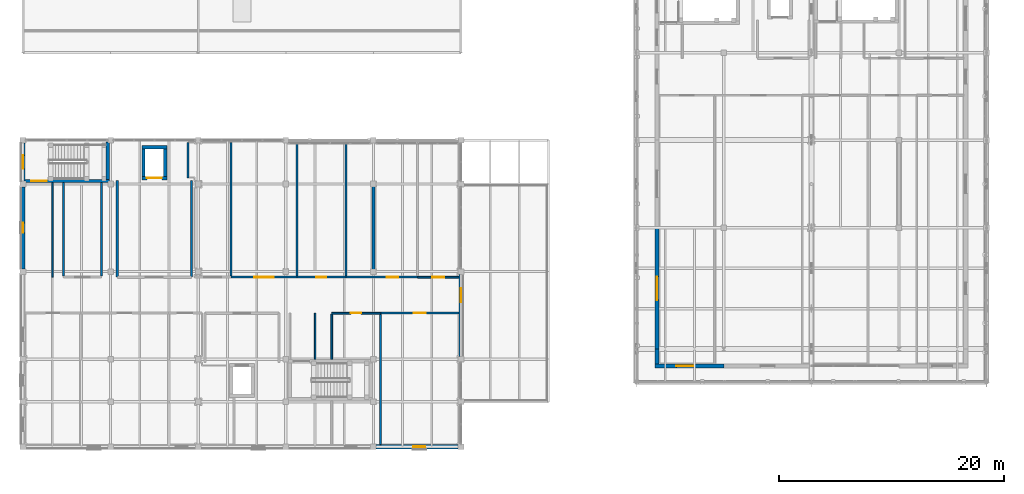
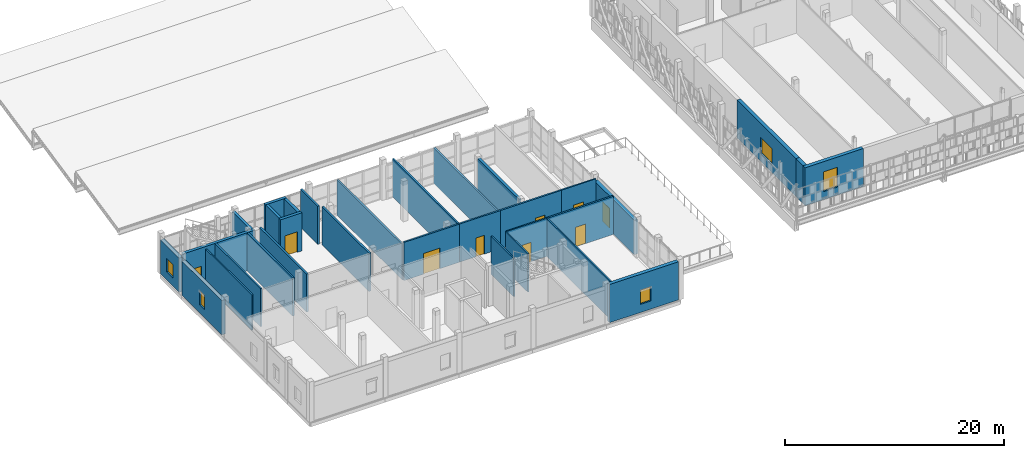
# One storey, part 66 of 89: 32 walls, 9 doors, 5 windows, 14 openings.
"""IFC4 building model written with IfcOpenShell, lengths in metres."""

from ifc_helpers import new_model, si_unit, direction, frame, frame_2d, origin, place, context, subcontext, project, spatial, rectangle, extrude, material, layer, layer_set, type_object, element, fill, save


model = new_model("IFC4")

# Units and contexts
model_context = context("Model", 3, precision=1e-05, world=origin(), true_north=direction((0.0, 1.0)))
body_context = subcontext(model_context, "Body", "Model", "MODEL_VIEW")
ifc_project = project(units=[si_unit("LENGTHUNIT", "METRE"), si_unit("AREAUNIT", "SQUARE_METRE"), si_unit("VOLUMEUNIT", "CUBIC_METRE"), si_unit("PLANEANGLEUNIT", "RADIAN"), si_unit("MASSUNIT", "GRAM", prefix="KILO")], contexts=[model_context])

# Site, building, storey
site_placement = place(None, origin())
site = spatial("IfcSite", under=ifc_project, at=site_placement, CompositionType="ELEMENT")
building_placement = place(site_placement, origin())
building = spatial("IfcBuilding", under=site, at=building_placement, Name="Celorna Specialist Clinic", CompositionType="ELEMENT")
storey_placement = place(building_placement, frame((0.0, 0.0, 14.10009765625)))
storey = spatial("IfcBuildingStorey", under=building, at=storey_placement, Name="L03", CompositionType="ELEMENT", Elevation=14.10009765625)

# Wall, opening, window
ifc_material_1 = material(Name="Terracotta masonry with insulated cavity", Category="masonry")
ifc_layer_1 = layer(ifc_material_1, 0.3798828125, Name="Terracotta masonry with insulated cavity")
ifc_layer_set_1 = layer_set([ifc_layer_1], Name="Terracotta masonry with insulated cavity")
wall_type_1 = type_object("IfcWallType", Name="WT-06", PredefinedType="STANDARD", material=ifc_layer_set_1)
wall_1_placement = place(storey_placement, frame((38.75, 0.0, 0.0), z_axis=(0.0, 0.0, 1.0), x_axis=(-1.0, 0.0, 0.0)))
wall_1 = element("IfcWall", 1, at=wall_1_placement, inside=storey, type_object=wall_type_1, Name="External facade wall WT-06 #353", PredefinedType="STANDARD", context=body_context, shape_type="SweptSolid", body=[
    extrude(rectangle(XDim=7.300048828125, YDim=0.3798828125, at=frame_2d((3.64990234375, 0.0))), origin(), (0.0, 0.0, 1.0), 4.260009765625),
])
opening_1_placement = place(wall_1_placement, frame((2.9150390625, 0.0, 0.89990234375)))
opening_1 = element("IfcOpeningElement", 2, at=opening_1_placement, cuts=wall_1, Name="Opening WN-03", PredefinedType="OPENING", context=body_context, shape_type="SweptSolid", body=[
    extrude(rectangle(XDim=1.10009765625, YDim=1.60009765625, at=frame_2d((0.550048828125, 0.800048828125))), frame((0.0, 0.199951171875, 0.0), z_axis=(0.0, -1.0, 0.0), x_axis=(1.0, 0.0, 0.0)), (0.0, 0.0, 1.0), 0.39990234375),
])
ifc_material_2 = material(Name="Thermally broken aluminium triple-glazed window", Category="aluminium")
window_type_1 = type_object("IfcWindowType", Name="WN-03", PartitioningType="SINGLE_PANEL", PredefinedType="WINDOW", material=ifc_material_2)
window_1_placement = place(opening_1_placement, origin())
window_1 = element("IfcWindow", 3, at=window_1_placement, inside=storey, type_object=window_type_1, Name="Facade window WN-03 #218", OverallHeight=1.60009765625, OverallWidth=1.10009765625, PartitioningType="SINGLE_PANEL", PredefinedType="WINDOW", context=body_context, shape_type="SweptSolid", body=[
    extrude(rectangle(XDim=1.10009765625, YDim=1.60009765625, at=frame_2d((0.550048828125, 0.800048828125))), frame((0.0, 0.030029296875, 0.0), z_axis=(0.0, -1.0, 0.0), x_axis=(1.0, 0.0, 0.0)), (0.0, 0.0, 1.0), 0.06005859375),
])
fill(opening_1, window_1)

wall_2_placement = place(storey_placement, frame((0.0, 15.85009765625, 0.0), z_axis=(0.0, 0.0, 1.0), x_axis=(0.0, 1.0, 0.0)))
wall_2 = element("IfcWall", 4, at=wall_2_placement, inside=storey, type_object=wall_type_1, Name="External facade wall WT-06 #357", PredefinedType="STANDARD", context=body_context, shape_type="SweptSolid", body=[
    extrude(rectangle(XDim=7.2998046875, YDim=0.3798828125, at=frame_2d((3.64990234375, 0.0))), origin(), (0.0, 0.0, 1.0), 3.81982421875),
])
opening_2_placement = place(wall_2_placement, frame((3.199951171875, 0.0, 0.89990234375)))
opening_2 = element("IfcOpeningElement", 5, at=opening_2_placement, cuts=wall_2, Name="Opening WN-01", PredefinedType="OPENING", context=body_context, shape_type="SweptSolid", body=[
    extrude(rectangle(XDim=0.89990234375, YDim=1.60009765625, at=frame_2d((0.449951171875, 0.800048828125))), frame((0.0, 0.199951171875, 0.0), z_axis=(0.0, -1.0, 0.0), x_axis=(1.0, 0.0, 0.0)), (0.0, 0.0, 1.0), 0.39990234375),
])
window_type_2 = type_object("IfcWindowType", Name="WN-01", PartitioningType="SINGLE_PANEL", PredefinedType="WINDOW", material=ifc_material_2)
window_2_placement = place(opening_2_placement, origin())
window_2 = element("IfcWindow", 6, at=window_2_placement, inside=storey, type_object=window_type_2, Name="Facade window WN-01 #222", OverallHeight=1.60009765625, OverallWidth=0.89990234375, PartitioningType="SINGLE_PANEL", PredefinedType="WINDOW", context=body_context, shape_type="SweptSolid", body=[
    extrude(rectangle(XDim=0.89990234375, YDim=1.60009765625, at=frame_2d((0.449951171875, 0.800048828125))), frame((0.0, 0.030029296875, 0.0), z_axis=(0.0, -1.0, 0.0), x_axis=(1.0, 0.0, 0.0)), (0.0, 0.0, 1.0), 0.06005859375),
])
fill(opening_2, window_2)

wall_3_placement = place(storey_placement, frame((0.0, 23.64990234375, 0.0), z_axis=(0.0, 0.0, 1.0), x_axis=(0.0, 1.0, 0.0)))
wall_3 = element("IfcWall", 7, at=wall_3_placement, inside=storey, type_object=wall_type_1, Name="External facade wall WT-06 #358", PredefinedType="STANDARD", context=body_context, shape_type="SweptSolid", body=[
    extrude(rectangle(XDim=3.400146484375, YDim=0.3798828125, at=frame_2d((1.7001953125, 0.0))), origin(), (0.0, 0.0, 1.0), 3.81982421875),
])
opening_3_placement = place(wall_3_placement, frame((1.10009765625, 0.0, 0.89990234375)))
opening_3 = element("IfcOpeningElement", 8, at=opening_3_placement, cuts=wall_3, Name="Opening WN-04", PredefinedType="OPENING", context=body_context, shape_type="SweptSolid", body=[
    extrude(rectangle(XDim=1.199951171875, YDim=1.5, at=frame_2d((0.60009765625, 0.75))), frame((0.0, 0.199951171875, 0.0), z_axis=(0.0, -1.0, 0.0), x_axis=(1.0, 0.0, 0.0)), (0.0, 0.0, 1.0), 0.39990234375),
])
window_type_3 = type_object("IfcWindowType", Name="WN-04", PartitioningType="SINGLE_PANEL", PredefinedType="WINDOW", material=ifc_material_2)
window_3_placement = place(opening_3_placement, origin())
window_3 = element("IfcWindow", 9, at=window_3_placement, inside=storey, type_object=window_type_3, Name="Facade window WN-04 #223", OverallHeight=1.5, OverallWidth=1.199951171875, PartitioningType="SINGLE_PANEL", PredefinedType="WINDOW", context=body_context, shape_type="SweptSolid", body=[
    extrude(rectangle(XDim=1.199951171875, YDim=1.5, at=frame_2d((0.60009765625, 0.75))), frame((0.0, 0.030029296875, 0.0), z_axis=(0.0, -1.0, 0.0), x_axis=(1.0, 0.0, 0.0)), (0.0, 0.0, 1.0), 0.06005859375),
])
fill(opening_3, window_3)

# Wall, opening, door
wall_4_placement = place(storey_placement, frame((39.0, 15.35009765625, 0.0), z_axis=(0.0, 0.0, 1.0), x_axis=(0.0, -1.0, 0.0)))
wall_4 = element("IfcWall", 10, at=wall_4_placement, inside=storey, type_object=wall_type_1, Name="External facade wall WT-06 #359", PredefinedType="STANDARD", context=body_context, shape_type="SweptSolid", body=[
    extrude(rectangle(XDim=7.300048828125, YDim=0.3798828125, at=frame_2d((3.64990234375, 0.0))), origin(), (0.0, 0.0, 1.0), 3.83984375),
])
opening_4_placement = place(wall_4_placement, frame((1.22509765625, 0.0, 0.0)))
opening_4 = element("IfcOpeningElement", 11, at=opening_4_placement, cuts=wall_4, Name="Opening DR-13", PredefinedType="OPENING", context=body_context, shape_type="SweptSolid", body=[
    extrude(rectangle(XDim=1.25, YDim=2.199951171875, at=frame_2d((0.625, 1.10009765625))), frame((0.0, 0.199951171875, 0.0), z_axis=(0.0, -1.0, 0.0), x_axis=(1.0, 0.0, 0.0)), (0.0, 0.0, 1.0), 0.39990234375),
])
ifc_material_3 = material(Name="Thermally broken glazed terrace door")
door_type_1 = type_object("IfcDoorType", Name="DR-13", OperationType="NOTDEFINED", PredefinedType="DOOR", material=ifc_material_3)
door_1_placement = place(opening_4_placement, frame((1.25, 0.0, 0.0), z_axis=(0.0, 0.0, 1.0), x_axis=(-1.0, 0.0, 0.0)))
door_1 = element("IfcDoor", 12, at=door_1_placement, inside=storey, type_object=door_type_1, Name="Terrace access door TER-V5-L03", OperationType="SINGLE_SWING_RIGHT", OverallHeight=2.199951171875, OverallWidth=1.25, PredefinedType="DOOR", context=body_context, shape_type="SweptSolid", body=[
    extrude(rectangle(XDim=1.25, YDim=2.199951171875, at=frame_2d((0.625, 1.10009765625))), frame((0.0, 0.02490234375, 0.0), z_axis=(0.0, -1.0, 0.0), x_axis=(1.0, 0.0, 0.0)), (0.0, 0.0, 1.0), 0.050048828125),
])
fill(opening_4, door_1)

# Wall, opening, window
wall_5_placement = place(storey_placement, frame((62.39990234375, 7.199951171875, 0.0), z_axis=(0.0, 0.0, 1.0), x_axis=(-1.0, 0.0, 0.0)))
wall_5 = element("IfcWall", 13, at=wall_5_placement, inside=storey, type_object=wall_type_1, Name="External facade wall WT-06 #408", PredefinedType="STANDARD", context=body_context, shape_type="SweptSolid", body=[
    extrude(rectangle(XDim=6.139892578125, YDim=0.3798828125, at=frame_2d((3.06982421875, 0.0))), origin(), (0.0, 0.0, 1.0), 4.239990234375),
])
opening_5_placement = place(wall_5_placement, frame((2.715087890625, 0.0, 0.89990234375)))
opening_5 = element("IfcOpeningElement", 14, at=opening_5_placement, cuts=wall_5, Name="Opening WN-10", PredefinedType="OPENING", context=body_context, shape_type="SweptSolid", body=[
    extrude(rectangle(XDim=1.5, YDim=2.199951171875, at=frame_2d((0.75, 1.10009765625))), frame((0.0, 0.199951171875, 0.0), z_axis=(0.0, -1.0, 0.0), x_axis=(1.0, 0.0, 0.0)), (0.0, 0.0, 1.0), 0.39990234375),
])
window_type_4 = type_object("IfcWindowType", Name="WN-10", PartitioningType="SINGLE_PANEL", PredefinedType="WINDOW", material=ifc_material_2)
window_4_placement = place(opening_5_placement, origin())
window_4 = element("IfcWindow", 15, at=window_4_placement, inside=storey, type_object=window_type_4, Name="Facade window WN-10 #268", OverallHeight=2.199951171875, OverallWidth=1.5, PartitioningType="SINGLE_PANEL", PredefinedType="WINDOW", context=body_context, shape_type="SweptSolid", body=[
    extrude(rectangle(XDim=1.5, YDim=2.199951171875, at=frame_2d((0.75, 1.10009765625))), frame((0.0, 0.030029296875, 0.0), z_axis=(0.0, -1.0, 0.0), x_axis=(1.0, 0.0, 0.0)), (0.0, 0.0, 1.0), 0.06005859375),
])
fill(opening_5, window_4)

# Wall
wall_6_placement = place(storey_placement, frame((56.449951171875, 7.389892578125, 0.0), z_axis=(0.0, 0.0, 1.0), x_axis=(0.0, 1.0, 0.0)))
element("IfcWall", 16, at=wall_6_placement, inside=storey, type_object=wall_type_1, Name="External facade wall WT-06 #415", PredefinedType="STANDARD", context=body_context, shape_type="SweptSolid", body=[
    extrude(rectangle(XDim=1.31005859375, YDim=0.3798828125, at=frame_2d((0.655029296875, 0.0))), origin(), (0.0, 0.0, 1.0), 4.239990234375),
])

# Wall, opening, window
wall_7_placement = place(storey_placement, frame((56.449951171875, 8.699951171875, 0.0), z_axis=(0.0, 0.0, 1.0), x_axis=(0.0, 1.0, 0.0)))
wall_7 = element("IfcWall", 17, at=wall_7_placement, inside=storey, type_object=wall_type_1, Name="External facade wall WT-06 #416", PredefinedType="STANDARD", context=body_context, shape_type="SweptSolid", body=[
    extrude(rectangle(XDim=10.800048828125, YDim=0.3798828125, at=frame_2d((5.39990234375, 0.0))), origin(), (0.0, 0.0, 1.0), 4.239990234375),
])
opening_6_placement = place(wall_7_placement, frame((4.35009765625, 0.0, 0.89990234375)))
opening_6 = element("IfcOpeningElement", 18, at=opening_6_placement, cuts=wall_7, Name="Opening WN-17", PredefinedType="OPENING", context=body_context, shape_type="SweptSolid", body=[
    extrude(rectangle(XDim=2.10009765625, YDim=1.800048828125, at=frame_2d((1.050048828125, 0.89990234375))), frame((0.0, 0.199951171875, 0.0), z_axis=(0.0, -1.0, 0.0), x_axis=(1.0, 0.0, 0.0)), (0.0, 0.0, 1.0), 0.39990234375),
])
ifc_material_4 = material(Name="Outpatient waiting bay window")
window_type_5 = type_object("IfcWindowType", Name="WN-17", PartitioningType="SINGLE_PANEL", PredefinedType="WINDOW", material=ifc_material_4)
window_5_placement = place(opening_6_placement, origin())
window_5 = element("IfcWindow", 19, at=window_5_placement, inside=storey, type_object=window_type_5, Name="Facade window WN-17 #274", OverallHeight=1.800048828125, OverallWidth=2.10009765625, PartitioningType="SINGLE_PANEL", PredefinedType="WINDOW", context=body_context, shape_type="SweptSolid", body=[
    extrude(rectangle(XDim=2.10009765625, YDim=1.800048828125, at=frame_2d((1.050048828125, 0.89990234375))), frame((0.0, 0.030029296875, 0.0), z_axis=(0.0, -1.0, 0.0), x_axis=(1.0, 0.0, 0.0)), (0.0, 0.0, 1.0), 0.06005859375),
])
fill(opening_6, window_5)

# Wall, opening, door
ifc_material_5 = material(Name="Concrete C35/45", Category="concrete")
ifc_layer_2 = layer(ifc_material_5, 0.300048828125, Name="Concrete C35/45")
ifc_layer_set_2 = layer_set([ifc_layer_2], Name="Concrete C35/45")
wall_type_2 = type_object("IfcWallType", Name="WT-08", PredefinedType="SHEAR", material=ifc_layer_set_2)
wall_8_placement = place(storey_placement, frame((0.14990234375, 23.669921875, 0.0), z_axis=(0.0, 0.0, 1.0), x_axis=(1.0, 0.0, 0.0)))
wall_8 = element("IfcWall", 20, at=wall_8_placement, inside=storey, type_object=wall_type_2, Name="Stair ST-04 RC core wall L03 south", PredefinedType="SHEAR", context=body_context, shape_type="SweptSolid", body=[
    extrude(rectangle(XDim=7.56005859375, YDim=0.300048828125, at=frame_2d((3.780029296875, 0.0))), origin(), (0.0, 0.0, 1.0), 4.260009765625),
])
opening_7_placement = place(wall_8_placement, frame((0.56005859375, 0.0, 0.0)))
opening_7 = element("IfcOpeningElement", 21, at=opening_7_placement, cuts=wall_8, Name="Opening DR-10", PredefinedType="OPENING", context=body_context, shape_type="SweptSolid", body=[
    extrude(rectangle(XDim=1.39990234375, YDim=2.199951171875, at=frame_2d((0.699951171875, 1.10009765625))), frame((0.0, 0.159912109375, 0.0), z_axis=(0.0, -1.0, 0.0), x_axis=(1.0, 0.0, 0.0)), (0.0, 0.0, 1.0), 0.320068359375),
])
ifc_material_6 = material(Name="Protected exit stair fire door")
door_type_2 = type_object("IfcDoorType", Name="DR-10", OperationType="NOTDEFINED", PredefinedType="DOOR", material=ifc_material_6)
door_2_placement = place(opening_7_placement, origin())
door_2 = element("IfcDoor", 22, at=door_2_placement, inside=storey, type_object=door_type_2, Name="Protected exit stair door ST-04 L03", OperationType="SINGLE_SWING_RIGHT", OverallHeight=2.199951171875, OverallWidth=1.39990234375, PredefinedType="DOOR", context=body_context, shape_type="SweptSolid", body=[
    extrude(rectangle(XDim=1.39990234375, YDim=2.199951171875, at=frame_2d((0.699951171875, 1.10009765625))), frame((0.0, 0.02490234375, 0.0), z_axis=(0.0, -1.0, 0.0), x_axis=(1.0, 0.0, 0.0)), (0.0, 0.0, 1.0), 0.050048828125),
])
fill(opening_7, door_2)

# Wall
wall_9_placement = place(storey_placement, frame((7.56005859375, 23.820068359375, 0.0), z_axis=(0.0, 0.0, 1.0), x_axis=(0.0, 1.0, 0.0)))
element("IfcWall", 23, at=wall_9_placement, inside=storey, type_object=wall_type_2, Name="Stair ST-04 RC core wall L03 east", PredefinedType="SHEAR", context=body_context, shape_type="SweptSolid", body=[
    extrude(rectangle(XDim=3.329833984375, YDim=0.300048828125, at=frame_2d((1.6650390625, 0.0))), origin(), (0.0, 0.0, 1.0), 4.260009765625),
])

# Wall, opening, door
wall_10_placement = place(storey_placement, frame((10.574951171875, 23.925048828125, 0.0), z_axis=(0.0, 0.0, 1.0), x_axis=(1.0, 0.0, 0.0)))
wall_10 = element("IfcWall", 24, at=wall_10_placement, inside=storey, type_object=wall_type_2, Name="Lift LF-04 RC shaft wall L03", PredefinedType="SHEAR", context=body_context, shape_type="SweptSolid", body=[
    extrude(rectangle(XDim=2.25, YDim=0.300048828125, at=frame_2d((1.125, 0.0))), origin(), (0.0, 0.0, 1.0), 4.260009765625),
])
opening_8_placement = place(wall_10_placement, frame((0.449951171875, 0.0, 0.0)))
opening_8 = element("IfcOpeningElement", 25, at=opening_8_placement, cuts=wall_10, Name="Opening LD-02", PredefinedType="OPENING", context=body_context, shape_type="SweptSolid", body=[
    extrude(rectangle(XDim=1.35009765625, YDim=2.300048828125, at=frame_2d((0.675048828125, 1.14990234375))), frame((0.0, 0.159912109375, 0.0), z_axis=(0.0, -1.0, 0.0), x_axis=(1.0, 0.0, 0.0)), (0.0, 0.0, 1.0), 0.320068359375),
])
ifc_material_7 = material(Name="Firefighting stretcher lift landing sliding door")
door_type_3 = type_object("IfcDoorType", Name="LD-02", OperationType="DOUBLE_DOOR_SLIDING", PredefinedType="DOOR", material=ifc_material_7)
door_3_placement = place(opening_8_placement, origin())
door_3 = element("IfcDoor", 26, at=door_3_placement, inside=storey, type_object=door_type_3, Name="Lift LF-04 sliding landing door L03", OperationType="DOUBLE_DOOR_SLIDING", OverallHeight=2.300048828125, OverallWidth=1.35009765625, PredefinedType="DOOR", context=body_context, shape_type="SweptSolid", body=[
    extrude(rectangle(XDim=1.35009765625, YDim=2.300048828125, at=frame_2d((0.675048828125, 1.14990234375))), frame((0.0, 0.02490234375, 0.0), z_axis=(0.0, -1.0, 0.0), x_axis=(1.0, 0.0, 0.0)), (0.0, 0.0, 1.0), 0.050048828125),
])
fill(opening_8, door_3)

# Walls
wall_11_placement = place(storey_placement, frame((12.824951171875, 26.675048828125, 0.0), z_axis=(0.0, 0.0, 1.0), x_axis=(-1.0, 0.0, 0.0)))
element("IfcWall", 27, at=wall_11_placement, inside=storey, type_object=wall_type_2, Name="Lift LF-04 RC shaft wall L03", PredefinedType="SHEAR", context=body_context, shape_type="SweptSolid", body=[
    extrude(rectangle(XDim=2.25, YDim=0.300048828125, at=frame_2d((1.125, 0.0))), origin(), (0.0, 0.0, 1.0), 4.260009765625),
])
for number, where, z_axis, x_axis, name in (
    (28, (10.72509765625, 26.52490234375, 0.0), (0.0, 0.0, 1.0), (0.0, -1.0, 0.0), "Lift LF-04 RC shaft wall L03"),
    (29, (12.675048828125, 24.074951171875, 0.0), (0.0, 0.0, 1.0), (0.0, 1.0, 0.0), "Lift LF-04 RC shaft wall L03"),
):
    element("IfcWall", number, at=place(storey_placement, frame(where, z_axis=z_axis, x_axis=x_axis)), inside=storey, type_object=wall_type_2, Name=name, PredefinedType="SHEAR", context=body_context, shape_type="SweptSolid", body=[
        extrude(rectangle(XDim=2.449951171875, YDim=0.300048828125, at=frame_2d((1.22509765625, 0.0))), origin(), (0.0, 0.0, 1.0), 4.260009765625),
    ])
ifc_layer_3 = layer(ifc_material_5, 0.260009765625, Name="Concrete C35/45")
ifc_layer_set_3 = layer_set([ifc_layer_3], Name="Concrete C35/45")
wall_type_3 = type_object("IfcWallType", Name="WT-10", PredefinedType="SHEAR", material=ifc_layer_set_3)
wall_12_placement = place(storey_placement, frame((31.199951171875, 15.75, 0.0), z_axis=(0.0, 0.0, 1.0), x_axis=(0.0, 1.0, 0.0)))
element("IfcWall", 30, at=wall_12_placement, inside=storey, type_object=wall_type_3, Name="Structural RC shear wall WT-10 V5 L03", PredefinedType="SHEAR", context=body_context, shape_type="SweptSolid", body=[
    extrude(rectangle(XDim=7.5, YDim=0.260009765625, at=frame_2d((3.75, 0.0))), origin(), (0.0, 0.0, 1.0), 4.260009765625),
])
ifc_layer_4 = layer(ifc_material_5, 0.199951171875, Name="Concrete C35/45")
ifc_layer_set_4 = layer_set([ifc_layer_4], Name="Concrete C35/45")
wall_type_4 = type_object("IfcWallType", Name="WT-12", PredefinedType="SOLIDWALL", material=ifc_layer_set_4)
for number, where, z_axis, x_axis, name in (
    (31, (8.39990234375, 23.699951171875, 0.0), (0.0, 0.0, 1.0), (0.0, -1.0, 0.0), "Firefighting lobby wall LF-04 L03"),
    (32, (15.0, 15.10009765625, 0.0), (0.0, 0.0, 1.0), (0.0, 1.0, 0.0), "Firefighting lobby wall LF-04 L03"),
):
    element("IfcWall", number, at=place(storey_placement, frame(where, z_axis=z_axis, x_axis=x_axis)), inside=storey, type_object=wall_type_4, Name=name, PredefinedType="SOLIDWALL", context=body_context, shape_type="SweptSolid", body=[
        extrude(rectangle(XDim=8.599853515625, YDim=0.199951171875, at=frame_2d((4.2998046875, 0.0))), origin(), (0.0, 0.0, 1.0), 4.260009765625),
    ])

# Wall, opening, door
ifc_material_8 = material(Name="Acoustic masonry clinical partition", Category="masonry")
ifc_layer_5 = layer(ifc_material_8, 0.179931640625, Name="Acoustic masonry clinical partition")
ifc_layer_set_5 = layer_set([ifc_layer_5], Name="Acoustic masonry clinical partition")
wall_type_5 = type_object("IfcWallType", Name="WT-13", PredefinedType="PARTITIONING", material=ifc_layer_set_5)
wall_13_placement = place(storey_placement, frame((38.81005859375, 11.89990234375, 0.0), z_axis=(0.0, 0.0, 1.0), x_axis=(-1.0, 0.0, 0.0)))
wall_13 = element("IfcWall", 33, at=wall_13_placement, inside=storey, type_object=wall_type_5, Name="Interior partition WT-13 L03-045", PredefinedType="PARTITIONING", context=body_context, shape_type="SweptSolid", body=[
    extrude(rectangle(XDim=6.969970703125, YDim=0.179931640625, at=frame_2d((3.48486328125, 0.0))), origin(), (0.0, 0.0, 1.0), 4.260009765625),
])
opening_9_placement = place(wall_13_placement, frame((2.945068359375, 0.0, 0.0)))
opening_9 = element("IfcOpeningElement", 34, at=opening_9_placement, cuts=wall_13, Name="Opening DR-21", PredefinedType="OPENING", context=body_context, shape_type="SweptSolid", body=[
    extrude(rectangle(XDim=1.080078125, YDim=2.199951171875, at=frame_2d((0.5400390625, 1.10009765625))), frame((0.0, 0.099853515625, 0.0), z_axis=(0.0, -1.0, 0.0), x_axis=(1.0, 0.0, 0.0)), (0.0, 0.0, 1.0), 0.199951171875),
])
ifc_material_9 = material(Name="Timber outpatient suite door", Category="wood")
door_type_4 = type_object("IfcDoorType", Name="DR-21", OperationType="NOTDEFINED", PredefinedType="DOOR", material=ifc_material_9)
door_4_placement = place(opening_9_placement, origin())
door_4 = element("IfcDoor", 35, at=door_4_placement, inside=storey, type_object=door_type_4, Name="Endoscopy Procedure Room door L03-045", OperationType="SINGLE_SWING_RIGHT", OverallHeight=2.199951171875, OverallWidth=1.080078125, PredefinedType="DOOR", context=body_context, shape_type="SweptSolid", body=[
    extrude(rectangle(XDim=1.080078125, YDim=2.199951171875, at=frame_2d((0.5400390625, 1.10009765625))), frame((0.0, 0.02490234375, 0.0), z_axis=(0.0, -1.0, 0.0), x_axis=(1.0, 0.0, 0.0)), (0.0, 0.0, 1.0), 0.050048828125),
])
fill(opening_9, door_4)

wall_14_placement = place(storey_placement, frame((18.5400390625, 15.10009765625, 0.0), z_axis=(0.0, 0.0, 1.0), x_axis=(1.0, 0.0, 0.0)))
wall_14 = element("IfcWall", 36, at=wall_14_placement, inside=storey, type_object=wall_type_5, Name="Interior partition WT-13 L03-048", PredefinedType="PARTITIONING", context=body_context, shape_type="SweptSolid", body=[
    extrude(rectangle(XDim=5.849853515625, YDim=0.179931640625, at=frame_2d((2.9248046875, 0.0))), origin(), (0.0, 0.0, 1.0), 4.260009765625),
])
opening_10_placement = place(wall_14_placement, frame((2.06494140625, 0.0, 0.0)))
opening_10 = element("IfcOpeningElement", 37, at=opening_10_placement, cuts=wall_14, Name="Opening DR-24", PredefinedType="OPENING", context=body_context, shape_type="SweptSolid", body=[
    extrude(rectangle(XDim=1.719970703125, YDim=2.300048828125, at=frame_2d((0.85986328125, 1.14990234375))), frame((0.0, 0.099853515625, 0.0), z_axis=(0.0, -1.0, 0.0), x_axis=(1.0, 0.0, 0.0)), (0.0, 0.0, 1.0), 0.199951171875),
])
ifc_material_10 = material(Name="Double leaf clinical waiting door")
door_type_5 = type_object("IfcDoorType", Name="DR-24", OperationType="DOUBLE_DOOR_SINGLE_SWING", PredefinedType="DOOR", material=ifc_material_10)
door_5_placement = place(opening_10_placement, origin())
door_5 = element("IfcDoor", 38, at=door_5_placement, inside=storey, type_object=door_type_5, Name="Endoscopy Procedure Room door L03-048", OperationType="DOUBLE_DOOR_SINGLE_SWING", OverallHeight=2.300048828125, OverallWidth=1.719970703125, PredefinedType="DOOR", context=body_context, shape_type="SweptSolid", body=[
    extrude(rectangle(XDim=1.719970703125, YDim=2.300048828125, at=frame_2d((0.85986328125, 1.14990234375))), frame((0.0, 0.02490234375, 0.0), z_axis=(0.0, -1.0, 0.0), x_axis=(1.0, 0.0, 0.0)), (0.0, 0.0, 1.0), 0.050048828125),
])
fill(opening_10, door_5)

wall_15_placement = place(storey_placement, frame((24.389892578125, 15.10009765625, 0.0), z_axis=(0.0, 0.0, 1.0), x_axis=(1.0, 0.0, 0.0)))
wall_15 = element("IfcWall", 39, at=wall_15_placement, inside=storey, type_object=wall_type_5, Name="Interior partition WT-13 L03-049", PredefinedType="PARTITIONING", context=body_context, shape_type="SweptSolid", body=[
    extrude(rectangle(XDim=4.35009765625, YDim=0.179931640625, at=frame_2d((2.175048828125, 0.0))), origin(), (0.0, 0.0, 1.0), 4.260009765625),
])
opening_11_placement = place(wall_15_placement, frame((1.72509765625, 0.0, 0.0)))
opening_11 = element("IfcOpeningElement", 40, at=opening_11_placement, cuts=wall_15, Name="Opening DR-02", PredefinedType="OPENING", context=body_context, shape_type="SweptSolid", body=[
    extrude(rectangle(XDim=0.89990234375, YDim=2.10009765625, at=frame_2d((0.449951171875, 1.050048828125))), frame((0.0, 0.099853515625, 0.0), z_axis=(0.0, -1.0, 0.0), x_axis=(1.0, 0.0, 0.0)), (0.0, 0.0, 1.0), 0.199951171875),
])
ifc_material_11 = material(Name="Timber acoustic clinical door", Category="wood")
door_type_6 = type_object("IfcDoorType", Name="DR-02", OperationType="NOTDEFINED", PredefinedType="DOOR", material=ifc_material_11)
door_6_placement = place(opening_11_placement, origin())
door_6 = element("IfcDoor", 41, at=door_6_placement, inside=storey, type_object=door_type_6, Name="Bronchoscopy Treatment Room door L03-049", OperationType="SINGLE_SWING_RIGHT", OverallHeight=2.10009765625, OverallWidth=0.89990234375, PredefinedType="DOOR", context=body_context, shape_type="SweptSolid", body=[
    extrude(rectangle(XDim=0.89990234375, YDim=2.10009765625, at=frame_2d((0.449951171875, 1.050048828125))), frame((0.0, 0.02490234375, 0.0), z_axis=(0.0, -1.0, 0.0), x_axis=(1.0, 0.0, 0.0)), (0.0, 0.0, 1.0), 0.050048828125),
])
fill(opening_11, door_6)

wall_16_placement = place(storey_placement, frame((28.739990234375, 15.10009765625, 0.0), z_axis=(0.0, 0.0, 1.0), x_axis=(1.0, 0.0, 0.0)))
wall_16 = element("IfcWall", 42, at=wall_16_placement, inside=storey, type_object=wall_type_5, Name="Interior partition WT-13 L03-050", PredefinedType="PARTITIONING", context=body_context, shape_type="SweptSolid", body=[
    extrude(rectangle(XDim=6.39990234375, YDim=0.179931640625, at=frame_2d((3.199951171875, 0.0))), origin(), (0.0, 0.0, 1.0), 4.260009765625),
])
opening_12_placement = place(wall_16_placement, frame((3.659912109375, 0.0, 0.0)))
opening_12 = element("IfcOpeningElement", 43, at=opening_12_placement, cuts=wall_16, Name="Opening DR-04", PredefinedType="OPENING", context=body_context, shape_type="SweptSolid", body=[
    extrude(rectangle(XDim=1.0, YDim=2.10009765625, at=frame_2d((0.5, 1.050048828125))), frame((0.0, 0.099853515625, 0.0), z_axis=(0.0, -1.0, 0.0), x_axis=(1.0, 0.0, 0.0)), (0.0, 0.0, 1.0), 0.199951171875),
])
ifc_material_12 = material(Name="Timber consultation suite door", Category="wood")
door_type_7 = type_object("IfcDoorType", Name="DR-04", OperationType="NOTDEFINED", PredefinedType="DOOR", material=ifc_material_12)
door_7_placement = place(opening_12_placement, origin())
door_7 = element("IfcDoor", 44, at=door_7_placement, inside=storey, type_object=door_type_7, Name="Endoscope High-Level Decontamination Room door L03-050", OperationType="SINGLE_SWING_LEFT", OverallHeight=2.10009765625, OverallWidth=1.0, PredefinedType="DOOR", context=body_context, shape_type="SweptSolid", body=[
    extrude(rectangle(XDim=1.0, YDim=2.10009765625, at=frame_2d((0.5, 1.050048828125))), frame((0.0, 0.02490234375, 0.0), z_axis=(0.0, -1.0, 0.0), x_axis=(1.0, 0.0, 0.0)), (0.0, 0.0, 1.0), 0.050048828125),
])
fill(opening_12, door_7)

# Walls
for number, where, z_axis, x_axis, name in (
    (45, (3.590087890625, 15.18994140625, 0.0), (0.0, 0.0, 1.0), (0.0, 1.0, 0.0), "Room dividing partition WT-13 L03-046"),
    (46, (6.989990234375, 15.18994140625, 0.0), (0.0, 0.0, 1.0), (0.0, 1.0, 0.0), "Room dividing partition WT-13 L03-046"),
):
    element("IfcWall", number, at=place(storey_placement, frame(where, z_axis=z_axis, x_axis=x_axis)), inside=storey, type_object=wall_type_5, Name=name, PredefinedType="PARTITIONING", context=body_context, shape_type="SweptSolid", body=[
        extrude(rectangle(XDim=8.330078125, YDim=0.179931640625, at=frame_2d((4.1650390625, 0.0))), origin(), (0.0, 0.0, 1.0), 4.260009765625),
    ])
wall_17_placement = place(storey_placement, frame((14.68994140625, 23.949951171875, 0.0), z_axis=(0.0, 0.0, 1.0), x_axis=(0.0, 1.0, 0.0)))
element("IfcWall", 47, at=wall_17_placement, inside=storey, type_object=wall_type_5, Name="Room dividing partition WT-13 L03-047", PredefinedType="PARTITIONING", context=body_context, shape_type="SweptSolid", body=[
    extrude(rectangle(XDim=3.16015625, YDim=0.179931640625, at=frame_2d((1.580078125, 0.0))), origin(), (0.0, 0.0, 1.0), 4.260009765625),
])
wall_18_placement = place(storey_placement, frame((18.5400390625, 15.18994140625, 0.0), z_axis=(0.0, 0.0, 1.0), x_axis=(0.0, 1.0, 0.0)))
element("IfcWall", 48, at=wall_18_placement, inside=storey, type_object=wall_type_5, Name="Room dividing partition WT-13 L03-047", PredefinedType="PARTITIONING", context=body_context, shape_type="SweptSolid", body=[
    extrude(rectangle(XDim=11.920166015625, YDim=0.179931640625, at=frame_2d((5.9599609375, 0.0))), origin(), (0.0, 0.0, 1.0), 3.949951171875),
])
wall_19_placement = place(storey_placement, frame((24.389892578125, 15.18994140625, 0.0), z_axis=(0.0, 0.0, 1.0), x_axis=(0.0, 1.0, 0.0)))
element("IfcWall", 49, at=wall_19_placement, inside=storey, type_object=wall_type_5, Name="Room dividing partition WT-13 L03-048", PredefinedType="PARTITIONING", context=body_context, shape_type="SweptSolid", body=[
    extrude(rectangle(XDim=11.920166015625, YDim=0.179931640625, at=frame_2d((5.9599609375, 0.0))), origin(), (0.0, 0.0, 1.0), 4.260009765625),
])
wall_20_placement = place(storey_placement, frame((28.739990234375, 15.18994140625, 0.0), z_axis=(0.0, 0.0, 1.0), x_axis=(0.0, 1.0, 0.0)))
element("IfcWall", 50, at=wall_20_placement, inside=storey, type_object=wall_type_5, Name="Room dividing partition WT-13 L03-049", PredefinedType="PARTITIONING", context=body_context, shape_type="SweptSolid", body=[
    extrude(rectangle(XDim=11.920166015625, YDim=0.179931640625, at=frame_2d((5.9599609375, 0.0))), origin(), (0.0, 0.0, 1.0), 3.949951171875),
])
ifc_material_13 = material(Name="Fire-rated gypsum board partition")
ifc_layer_6 = layer(ifc_material_13, 0.14990234375, Name="Fire-rated gypsum board partition")
ifc_layer_set_6 = layer_set([ifc_layer_6], Name="Fire-rated gypsum board partition")
wall_type_6 = type_object("IfcWallType", Name="WT-14", PredefinedType="PARTITIONING", material=ifc_layer_set_6)
wall_21_placement = place(storey_placement, frame((2.610107421875, 15.10009765625, 0.0), z_axis=(0.0, 0.0, 1.0), x_axis=(0.0, 1.0, 0.0)))
element("IfcWall", 51, at=wall_21_placement, inside=storey, type_object=wall_type_6, Name="Corridor spur partition WT-14", PredefinedType="PARTITIONING", context=body_context, shape_type="SweptSolid", body=[
    extrude(rectangle(XDim=8.419921875, YDim=0.14990234375, at=frame_2d((4.2099609375, 0.0))), origin(), (0.0, 0.0, 1.0), 3.949951171875),
])
wall_22_placement = place(storey_placement, frame((26.010009765625, 7.780029296875, 0.0), z_axis=(0.0, 0.0, 1.0), x_axis=(0.0, 1.0, 0.0)))
element("IfcWall", 52, at=wall_22_placement, inside=storey, type_object=wall_type_6, Name="Corridor spur partition WT-14", PredefinedType="PARTITIONING", context=body_context, shape_type="SweptSolid", body=[
    extrude(rectangle(XDim=4.119873046875, YDim=0.14990234375, at=frame_2d((2.06005859375, 0.0))), origin(), (0.0, 0.0, 1.0), 4.260009765625),
])

# Wall, opening, door
wall_23_placement = place(storey_placement, frame((31.840087890625, 11.89990234375, 0.0), z_axis=(0.0, 0.0, 1.0), x_axis=(-1.0, 0.0, 0.0)))
wall_23 = element("IfcWall", 53, at=wall_23_placement, inside=storey, type_object=wall_type_6, Name="Interior partition WT-14 L03-044", PredefinedType="PARTITIONING", context=body_context, shape_type="SweptSolid", body=[
    extrude(rectangle(XDim=4.35009765625, YDim=0.14990234375, at=frame_2d((2.175048828125, 0.0))), origin(), (0.0, 0.0, 1.0), 4.260009765625),
])
opening_13_placement = place(wall_23_placement, frame((1.715087890625, 0.0, 0.0)))
opening_13 = element("IfcOpeningElement", 54, at=opening_13_placement, cuts=wall_23, Name="Opening DR-20", PredefinedType="OPENING", context=body_context, shape_type="SweptSolid", body=[
    extrude(rectangle(XDim=0.919921875, YDim=2.14990234375, at=frame_2d((0.4599609375, 1.074951171875))), frame((0.0, 0.0849609375, 0.0), z_axis=(0.0, -1.0, 0.0), x_axis=(1.0, 0.0, 0.0)), (0.0, 0.0, 1.0), 0.169921875),
])
ifc_material_14 = material(Name="Timber clinical consultation door", Category="wood")
door_type_8 = type_object("IfcDoorType", Name="DR-20", OperationType="NOTDEFINED", PredefinedType="DOOR", material=ifc_material_14)
door_8_placement = place(opening_13_placement, origin())
door_8 = element("IfcDoor", 55, at=door_8_placement, inside=storey, type_object=door_type_8, Name="Endoscopy Recovery Suite door L03-044", OperationType="SINGLE_SWING_LEFT", OverallHeight=2.14990234375, OverallWidth=0.919921875, PredefinedType="DOOR", context=body_context, shape_type="SweptSolid", body=[
    extrude(rectangle(XDim=0.919921875, YDim=2.14990234375, at=frame_2d((0.4599609375, 1.074951171875))), frame((0.0, 0.02490234375, 0.0), z_axis=(0.0, -1.0, 0.0), x_axis=(1.0, 0.0, 0.0)), (0.0, 0.0, 1.0), 0.050048828125),
])
fill(opening_13, door_8)

wall_24_placement = place(storey_placement, frame((35.139892578125, 15.10009765625, 0.0), z_axis=(0.0, 0.0, 1.0), x_axis=(1.0, 0.0, 0.0)))
wall_24 = element("IfcWall", 56, at=wall_24_placement, inside=storey, type_object=wall_type_6, Name="Interior partition WT-14 L03-051", PredefinedType="PARTITIONING", context=body_context, shape_type="SweptSolid", body=[
    extrude(rectangle(XDim=3.670166015625, YDim=0.14990234375, at=frame_2d((1.8349609375, 0.0))), origin(), (0.0, 0.0, 1.0), 4.260009765625),
])
opening_14_placement = place(wall_24_placement, frame((1.31005859375, 0.0, 0.0)))
opening_14 = element("IfcOpeningElement", 57, at=opening_14_placement, cuts=wall_24, Name="Opening DR-05", PredefinedType="OPENING", context=body_context, shape_type="SweptSolid", body=[
    extrude(rectangle(XDim=1.050048828125, YDim=2.14990234375, at=frame_2d((0.52490234375, 1.074951171875))), frame((0.0, 0.0849609375, 0.0), z_axis=(0.0, -1.0, 0.0), x_axis=(1.0, 0.0, 0.0)), (0.0, 0.0, 1.0), 0.169921875),
])
ifc_material_15 = material(Name="Timber examination room door", Category="wood")
door_type_9 = type_object("IfcDoorType", Name="DR-05", OperationType="NOTDEFINED", PredefinedType="DOOR", material=ifc_material_15)
door_9_placement = place(opening_14_placement, origin())
door_9 = element("IfcDoor", 58, at=door_9_placement, inside=storey, type_object=door_type_9, Name="Endoscopy Recovery Suite door L03-051", OperationType="SINGLE_SWING_RIGHT", OverallHeight=2.14990234375, OverallWidth=1.050048828125, PredefinedType="DOOR", context=body_context, shape_type="SweptSolid", body=[
    extrude(rectangle(XDim=1.050048828125, YDim=2.14990234375, at=frame_2d((0.52490234375, 1.074951171875))), frame((0.0, 0.02490234375, 0.0), z_axis=(0.0, -1.0, 0.0), x_axis=(1.0, 0.0, 0.0)), (0.0, 0.0, 1.0), 0.050048828125),
])
fill(opening_14, door_9)

# Walls
wall_25_placement = place(storey_placement, frame((27.489990234375, 7.780029296875, 0.0), z_axis=(0.0, 0.0, 1.0), x_axis=(0.0, 1.0, 0.0)))
element("IfcWall", 59, at=wall_25_placement, inside=storey, type_object=wall_type_6, Name="Room dividing partition WT-14 L03-044", PredefinedType="PARTITIONING", context=body_context, shape_type="SweptSolid", body=[
    extrude(rectangle(XDim=4.044921875, YDim=0.14990234375, at=frame_2d((2.0224609375, 0.0))), origin(), (0.0, 0.0, 1.0), 4.260009765625),
])
wall_26_placement = place(storey_placement, frame((31.840087890625, 0.18994140625, 0.0), z_axis=(0.0, 0.0, 1.0), x_axis=(0.0, 1.0, 0.0)))
element("IfcWall", 60, at=wall_26_placement, inside=storey, type_object=wall_type_6, Name="Room dividing partition WT-14 L03-044", PredefinedType="PARTITIONING", context=body_context, shape_type="SweptSolid", body=[
    extrude(rectangle(XDim=11.6201171875, YDim=0.14990234375, at=frame_2d((5.81005859375, 0.0))), origin(), (0.0, 0.0, 1.0), 4.260009765625),
])

save(model, "model.ifc")
